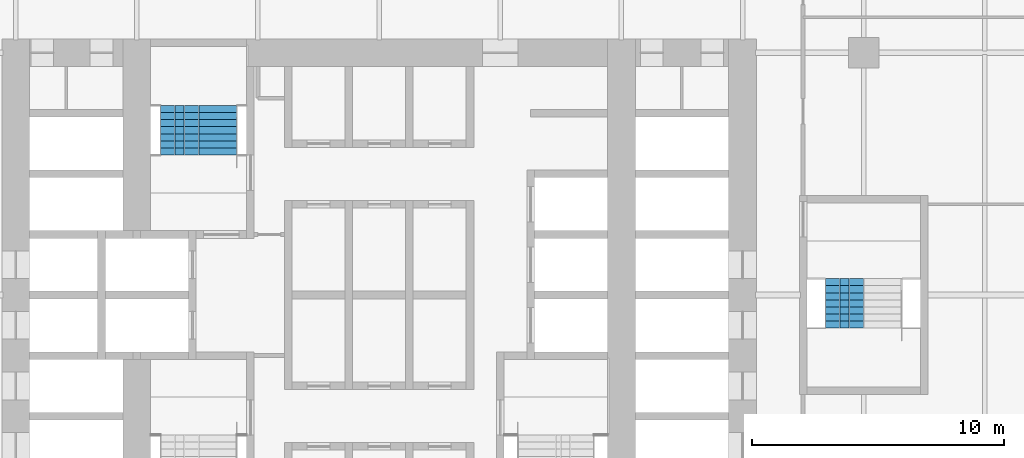
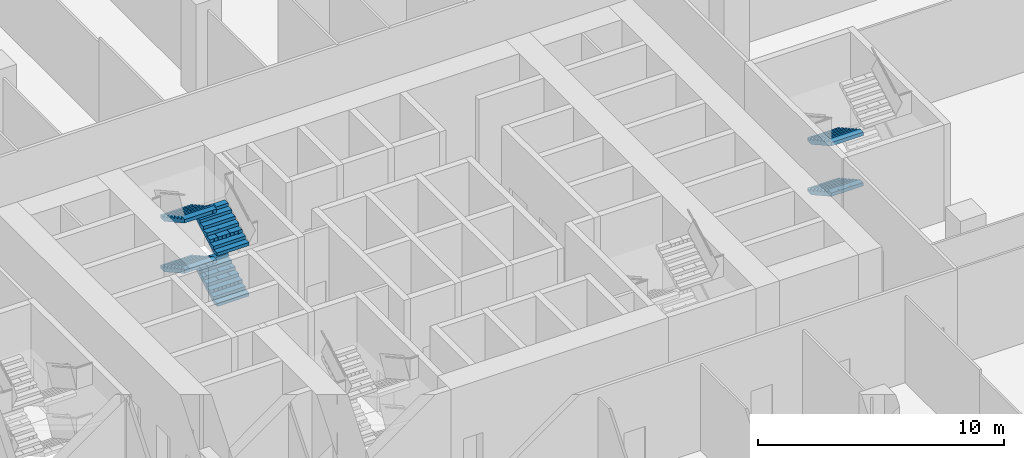
# One storey, part 26 of 29: 6 stair flights, 2 elements without a shape of their own.
"""IFC4 building model written with IfcOpenShell, lengths in metres."""

from ifc_helpers import new_model, si_unit, direction, frame, origin, place, context, subcontext, project, spatial, polyline, outline, extrude, material, type_object, element, aggregate, save


model = new_model("IFC4")

# Units and contexts
model_context = context("Model", 3, precision=1e-05, world=origin(), true_north=direction((0.0, 1.0)))
body_context = subcontext(model_context, "Body", "Model", "MODEL_VIEW")
ifc_project = project(units=[si_unit("LENGTHUNIT", "METRE"), si_unit("AREAUNIT", "SQUARE_METRE"), si_unit("VOLUMEUNIT", "CUBIC_METRE"), si_unit("PLANEANGLEUNIT", "RADIAN"), si_unit("MASSUNIT", "GRAM", prefix="KILO")], contexts=[model_context])

# Site, building, storey
site_placement = place(None, origin())
site = spatial("IfcSite", under=ifc_project, at=site_placement, CompositionType="ELEMENT")
building_placement = place(site_placement, origin())
building = spatial("IfcBuilding", under=site, at=building_placement, Name="Kolab Exchange Tower", CompositionType="ELEMENT")
storey_placement = place(building_placement, frame((0.0, 0.0, 17.39990234375)))
storey = spatial("IfcBuildingStorey", under=building, at=storey_placement, Name="L03", CompositionType="ELEMENT", Elevation=17.39990234375)

# Stair, stair flights
ifc_material = material(Name="Concrete C50/60", Category="concrete")
stair_type_1 = type_object("IfcStairType", Name="STAIR ST1 RISER 156.2", PredefinedType="DOUBLE_RETURN_STAIR", material=ifc_material)
stair_1_placement = place(storey_placement, origin())
stair_1 = element("IfcStair", 1, at=stair_1_placement, inside=storey, type_object=stair_type_1, Name="Stair 1", PredefinedType="DOUBLE_RETURN_STAIR")
stair_flight_type = type_object("IfcStairFlightType", Name="STAIR FLIGHT 1500 RISER 156.2", PredefinedType="STRAIGHT", material=ifc_material)
stair_flight_1_placement = place(storey_placement, frame((-6.389892578125, 5.550048828125, 0.0), z_axis=(0.0, 0.0, 1.0), x_axis=(0.0, 1.0, 0.0)))
stair_flight_1 = element("IfcStairFlight", 2, at=stair_flight_1_placement, type_object=stair_flight_type, Name="ST1 flight 1", NumberOfRisers=8, NumberOfTreads=7, PredefinedType="STRAIGHT", RiserHeight=0.15625, TreadLength=0.28, context=body_context, shape_type="SweptSolid", body=[
    extrude(outline(polyline([(0.0, 0.0), (0.0, 0.15625), (0.280029296875, 0.15625), (0.280029296875, 0.3125), (0.56005859375, 0.3125), (0.56005859375, 0.46875), (0.840087890625, 0.46875), (0.840087890625, 0.625), (1.1201171875, 0.625), (1.1201171875, 0.78125), (1.39990234375, 0.78125), (1.39990234375, 0.9375), (1.679931640625, 0.9375), (1.679931640625, 1.09375), (1.9599609375, 1.09375), (1.9599609375, 1.25), (1.9599609375, 0.922119140625), (0.3076171875, 0.0), (0.0, 0.0)])), frame((0.0, 0.75, 0.0), z_axis=(0.0, -1.0, 0.0), x_axis=(1.0, 0.0, 0.0)), (0.0, 0.0, 1.0), 0.185791015625),
    extrude(outline(polyline([(0.0, 0.0), (0.0, 0.15625), (0.280029296875, 0.15625), (0.280029296875, 0.3125), (0.56005859375, 0.3125), (0.56005859375, 0.46875), (0.840087890625, 0.46875), (0.840087890625, 0.625), (1.1201171875, 0.625), (1.1201171875, 0.78125), (1.39990234375, 0.78125), (1.39990234375, 0.9375), (1.679931640625, 0.9375), (1.679931640625, 1.09375), (1.9599609375, 1.09375), (1.9599609375, 1.25), (1.9599609375, 0.922119140625), (0.3076171875, 0.0), (0.0, 0.0)])), frame((0.0, 0.562255859375, 0.0), z_axis=(0.0, -1.0, 0.0), x_axis=(1.0, 0.0, 0.0)), (0.0, 0.0, 1.0), 0.185791015625),
    extrude(outline(polyline([(0.0, 0.0), (0.0, 0.15625), (0.280029296875, 0.15625), (0.280029296875, 0.3125), (0.56005859375, 0.3125), (0.56005859375, 0.46875), (0.840087890625, 0.46875), (0.840087890625, 0.625), (1.1201171875, 0.625), (1.1201171875, 0.78125), (1.39990234375, 0.78125), (1.39990234375, 0.9375), (1.679931640625, 0.9375), (1.679931640625, 1.09375), (1.9599609375, 1.09375), (1.9599609375, 1.25), (1.9599609375, 0.922119140625), (0.3076171875, 0.0), (0.0, 0.0)])), frame((0.0, 0.37451171875, 0.0), z_axis=(0.0, -1.0, 0.0), x_axis=(1.0, 0.0, 0.0)), (0.0, 0.0, 1.0), 0.185791015625),
    extrude(outline(polyline([(0.0, 0.0), (0.0, 0.15625), (0.280029296875, 0.15625), (0.280029296875, 0.3125), (0.56005859375, 0.3125), (0.56005859375, 0.46875), (0.840087890625, 0.46875), (0.840087890625, 0.625), (1.1201171875, 0.625), (1.1201171875, 0.78125), (1.39990234375, 0.78125), (1.39990234375, 0.9375), (1.679931640625, 0.9375), (1.679931640625, 1.09375), (1.9599609375, 1.09375), (1.9599609375, 1.25), (1.9599609375, 0.922119140625), (0.3076171875, 0.0), (0.0, 0.0)])), frame((0.0, 0.186767578125, 0.0), z_axis=(0.0, -1.0, 0.0), x_axis=(1.0, 0.0, 0.0)), (0.0, 0.0, 1.0), 0.185791015625),
    extrude(outline(polyline([(0.0, 0.0), (0.0, 0.15625), (0.280029296875, 0.15625), (0.280029296875, 0.3125), (0.56005859375, 0.3125), (0.56005859375, 0.46875), (0.840087890625, 0.46875), (0.840087890625, 0.625), (1.1201171875, 0.625), (1.1201171875, 0.78125), (1.39990234375, 0.78125), (1.39990234375, 0.9375), (1.679931640625, 0.9375), (1.679931640625, 1.09375), (1.9599609375, 1.09375), (1.9599609375, 1.25), (1.9599609375, 0.922119140625), (0.3076171875, 0.0), (0.0, 0.0)])), frame((0.0, -0.0009765625, 0.0), z_axis=(0.0, -1.0, 0.0), x_axis=(1.0, 0.0, 0.0)), (0.0, 0.0, 1.0), 0.185791015625),
    extrude(outline(polyline([(0.0, 0.0), (0.0, 0.15625), (0.280029296875, 0.15625), (0.280029296875, 0.3125), (0.56005859375, 0.3125), (0.56005859375, 0.46875), (0.840087890625, 0.46875), (0.840087890625, 0.625), (1.1201171875, 0.625), (1.1201171875, 0.78125), (1.39990234375, 0.78125), (1.39990234375, 0.9375), (1.679931640625, 0.9375), (1.679931640625, 1.09375), (1.9599609375, 1.09375), (1.9599609375, 1.25), (1.9599609375, 0.922119140625), (0.3076171875, 0.0), (0.0, 0.0)])), frame((0.0, -0.188720703125, 0.0), z_axis=(0.0, -1.0, 0.0), x_axis=(1.0, 0.0, 0.0)), (0.0, 0.0, 1.0), 0.185791015625),
    extrude(outline(polyline([(0.0, 0.0), (0.0, 0.15625), (0.280029296875, 0.15625), (0.280029296875, 0.3125), (0.56005859375, 0.3125), (0.56005859375, 0.46875), (0.840087890625, 0.46875), (0.840087890625, 0.625), (1.1201171875, 0.625), (1.1201171875, 0.78125), (1.39990234375, 0.78125), (1.39990234375, 0.9375), (1.679931640625, 0.9375), (1.679931640625, 1.09375), (1.9599609375, 1.09375), (1.9599609375, 1.25), (1.9599609375, 0.922119140625), (0.3076171875, 0.0), (0.0, 0.0)])), frame((0.0, -0.37646484375, 0.0), z_axis=(0.0, -1.0, 0.0), x_axis=(1.0, 0.0, 0.0)), (0.0, 0.0, 1.0), 0.185791015625),
    extrude(outline(polyline([(0.0, 0.0), (0.0, 0.15625), (0.280029296875, 0.15625), (0.280029296875, 0.3125), (0.56005859375, 0.3125), (0.56005859375, 0.46875), (0.840087890625, 0.46875), (0.840087890625, 0.625), (1.1201171875, 0.625), (1.1201171875, 0.78125), (1.39990234375, 0.78125), (1.39990234375, 0.9375), (1.679931640625, 0.9375), (1.679931640625, 1.09375), (1.9599609375, 1.09375), (1.9599609375, 1.25), (1.9599609375, 0.922119140625), (0.3076171875, 0.0), (0.0, 0.0)])), frame((0.0, -0.564208984375, 0.0), z_axis=(0.0, -1.0, 0.0), x_axis=(1.0, 0.0, 0.0)), (0.0, 0.0, 1.0), 0.185791015625),
])
stair_flight_2_placement = place(storey_placement, frame((-7.909912109375, 7.510009765625, 1.25), z_axis=(0.0, 0.0, 1.0), x_axis=(0.0, -1.0, 0.0)))
stair_flight_2 = element("IfcStairFlight", 3, at=stair_flight_2_placement, type_object=stair_flight_type, Name="ST1 flight 2", NumberOfRisers=8, NumberOfTreads=7, PredefinedType="STRAIGHT", RiserHeight=0.15625, TreadLength=0.28, context=body_context, shape_type="SweptSolid", body=[
    extrude(outline(polyline([(0.0, 0.0), (0.0, 0.15625), (0.280029296875, 0.15625), (0.280029296875, 0.3125), (0.56005859375, 0.3125), (0.56005859375, 0.46875), (0.840087890625, 0.46875), (0.840087890625, 0.625), (1.1201171875, 0.625), (1.1201171875, 0.78125), (1.39990234375, 0.78125), (1.39990234375, 0.9375), (1.679931640625, 0.9375), (1.679931640625, 1.09375), (1.9599609375, 1.09375), (1.9599609375, 1.25), (1.9599609375, 0.922119140625), (0.3076171875, 0.0), (0.0, 0.0)])), frame((0.0, 0.75, 0.0), z_axis=(0.0, -1.0, 0.0), x_axis=(1.0, 0.0, 0.0)), (0.0, 0.0, 1.0), 0.185791015625),
    extrude(outline(polyline([(0.0, 0.0), (0.0, 0.15625), (0.280029296875, 0.15625), (0.280029296875, 0.3125), (0.56005859375, 0.3125), (0.56005859375, 0.46875), (0.840087890625, 0.46875), (0.840087890625, 0.625), (1.1201171875, 0.625), (1.1201171875, 0.78125), (1.39990234375, 0.78125), (1.39990234375, 0.9375), (1.679931640625, 0.9375), (1.679931640625, 1.09375), (1.9599609375, 1.09375), (1.9599609375, 1.25), (1.9599609375, 0.922119140625), (0.3076171875, 0.0), (0.0, 0.0)])), frame((0.0, 0.562255859375, 0.0), z_axis=(0.0, -1.0, 0.0), x_axis=(1.0, 0.0, 0.0)), (0.0, 0.0, 1.0), 0.185791015625),
    extrude(outline(polyline([(0.0, 0.0), (0.0, 0.15625), (0.280029296875, 0.15625), (0.280029296875, 0.3125), (0.56005859375, 0.3125), (0.56005859375, 0.46875), (0.840087890625, 0.46875), (0.840087890625, 0.625), (1.1201171875, 0.625), (1.1201171875, 0.78125), (1.39990234375, 0.78125), (1.39990234375, 0.9375), (1.679931640625, 0.9375), (1.679931640625, 1.09375), (1.9599609375, 1.09375), (1.9599609375, 1.25), (1.9599609375, 0.922119140625), (0.3076171875, 0.0), (0.0, 0.0)])), frame((0.0, 0.37451171875, 0.0), z_axis=(0.0, -1.0, 0.0), x_axis=(1.0, 0.0, 0.0)), (0.0, 0.0, 1.0), 0.185791015625),
    extrude(outline(polyline([(0.0, 0.0), (0.0, 0.15625), (0.280029296875, 0.15625), (0.280029296875, 0.3125), (0.56005859375, 0.3125), (0.56005859375, 0.46875), (0.840087890625, 0.46875), (0.840087890625, 0.625), (1.1201171875, 0.625), (1.1201171875, 0.78125), (1.39990234375, 0.78125), (1.39990234375, 0.9375), (1.679931640625, 0.9375), (1.679931640625, 1.09375), (1.9599609375, 1.09375), (1.9599609375, 1.25), (1.9599609375, 0.922119140625), (0.3076171875, 0.0), (0.0, 0.0)])), frame((0.0, 0.186767578125, 0.0), z_axis=(0.0, -1.0, 0.0), x_axis=(1.0, 0.0, 0.0)), (0.0, 0.0, 1.0), 0.185791015625),
    extrude(outline(polyline([(0.0, 0.0), (0.0, 0.15625), (0.280029296875, 0.15625), (0.280029296875, 0.3125), (0.56005859375, 0.3125), (0.56005859375, 0.46875), (0.840087890625, 0.46875), (0.840087890625, 0.625), (1.1201171875, 0.625), (1.1201171875, 0.78125), (1.39990234375, 0.78125), (1.39990234375, 0.9375), (1.679931640625, 0.9375), (1.679931640625, 1.09375), (1.9599609375, 1.09375), (1.9599609375, 1.25), (1.9599609375, 0.922119140625), (0.3076171875, 0.0), (0.0, 0.0)])), frame((0.0, -0.0009765625, 0.0), z_axis=(0.0, -1.0, 0.0), x_axis=(1.0, 0.0, 0.0)), (0.0, 0.0, 1.0), 0.185791015625),
    extrude(outline(polyline([(0.0, 0.0), (0.0, 0.15625), (0.280029296875, 0.15625), (0.280029296875, 0.3125), (0.56005859375, 0.3125), (0.56005859375, 0.46875), (0.840087890625, 0.46875), (0.840087890625, 0.625), (1.1201171875, 0.625), (1.1201171875, 0.78125), (1.39990234375, 0.78125), (1.39990234375, 0.9375), (1.679931640625, 0.9375), (1.679931640625, 1.09375), (1.9599609375, 1.09375), (1.9599609375, 1.25), (1.9599609375, 0.922119140625), (0.3076171875, 0.0), (0.0, 0.0)])), frame((0.0, -0.188720703125, 0.0), z_axis=(0.0, -1.0, 0.0), x_axis=(1.0, 0.0, 0.0)), (0.0, 0.0, 1.0), 0.185791015625),
    extrude(outline(polyline([(0.0, 0.0), (0.0, 0.15625), (0.280029296875, 0.15625), (0.280029296875, 0.3125), (0.56005859375, 0.3125), (0.56005859375, 0.46875), (0.840087890625, 0.46875), (0.840087890625, 0.625), (1.1201171875, 0.625), (1.1201171875, 0.78125), (1.39990234375, 0.78125), (1.39990234375, 0.9375), (1.679931640625, 0.9375), (1.679931640625, 1.09375), (1.9599609375, 1.09375), (1.9599609375, 1.25), (1.9599609375, 0.922119140625), (0.3076171875, 0.0), (0.0, 0.0)])), frame((0.0, -0.37646484375, 0.0), z_axis=(0.0, -1.0, 0.0), x_axis=(1.0, 0.0, 0.0)), (0.0, 0.0, 1.0), 0.185791015625),
    extrude(outline(polyline([(0.0, 0.0), (0.0, 0.15625), (0.280029296875, 0.15625), (0.280029296875, 0.3125), (0.56005859375, 0.3125), (0.56005859375, 0.46875), (0.840087890625, 0.46875), (0.840087890625, 0.625), (1.1201171875, 0.625), (1.1201171875, 0.78125), (1.39990234375, 0.78125), (1.39990234375, 0.9375), (1.679931640625, 0.9375), (1.679931640625, 1.09375), (1.9599609375, 1.09375), (1.9599609375, 1.25), (1.9599609375, 0.922119140625), (0.3076171875, 0.0), (0.0, 0.0)])), frame((0.0, -0.564208984375, 0.0), z_axis=(0.0, -1.0, 0.0), x_axis=(1.0, 0.0, 0.0)), (0.0, 0.0, 1.0), 0.185791015625),
])
stair_flight_3_placement = place(storey_placement, frame((-6.389892578125, 5.550048828125, 2.5), z_axis=(0.0, 0.0, 1.0), x_axis=(0.0, 1.0, 0.0)))
stair_flight_3 = element("IfcStairFlight", 4, at=stair_flight_3_placement, type_object=stair_flight_type, Name="ST1 flight 3", NumberOfRisers=8, NumberOfTreads=7, PredefinedType="STRAIGHT", RiserHeight=0.15625, TreadLength=0.28, context=body_context, shape_type="SweptSolid", body=[
    extrude(outline(polyline([(0.0, 0.0), (0.0, 0.15625), (0.280029296875, 0.15625), (0.280029296875, 0.3125), (0.56005859375, 0.3125), (0.56005859375, 0.46875), (0.840087890625, 0.46875), (0.840087890625, 0.625), (1.1201171875, 0.625), (1.1201171875, 0.78125), (1.39990234375, 0.78125), (1.39990234375, 0.9375), (1.679931640625, 0.9375), (1.679931640625, 1.09375), (1.9599609375, 1.09375), (1.9599609375, 1.25), (1.9599609375, 0.922119140625), (0.3076171875, 0.0), (0.0, 0.0)])), frame((0.0, 0.75, 0.0), z_axis=(0.0, -1.0, 0.0), x_axis=(1.0, 0.0, 0.0)), (0.0, 0.0, 1.0), 0.185791015625),
    extrude(outline(polyline([(0.0, 0.0), (0.0, 0.15625), (0.280029296875, 0.15625), (0.280029296875, 0.3125), (0.56005859375, 0.3125), (0.56005859375, 0.46875), (0.840087890625, 0.46875), (0.840087890625, 0.625), (1.1201171875, 0.625), (1.1201171875, 0.78125), (1.39990234375, 0.78125), (1.39990234375, 0.9375), (1.679931640625, 0.9375), (1.679931640625, 1.09375), (1.9599609375, 1.09375), (1.9599609375, 1.25), (1.9599609375, 0.922119140625), (0.3076171875, 0.0), (0.0, 0.0)])), frame((0.0, 0.562255859375, 0.0), z_axis=(0.0, -1.0, 0.0), x_axis=(1.0, 0.0, 0.0)), (0.0, 0.0, 1.0), 0.185791015625),
    extrude(outline(polyline([(0.0, 0.0), (0.0, 0.15625), (0.280029296875, 0.15625), (0.280029296875, 0.3125), (0.56005859375, 0.3125), (0.56005859375, 0.46875), (0.840087890625, 0.46875), (0.840087890625, 0.625), (1.1201171875, 0.625), (1.1201171875, 0.78125), (1.39990234375, 0.78125), (1.39990234375, 0.9375), (1.679931640625, 0.9375), (1.679931640625, 1.09375), (1.9599609375, 1.09375), (1.9599609375, 1.25), (1.9599609375, 0.922119140625), (0.3076171875, 0.0), (0.0, 0.0)])), frame((0.0, 0.37451171875, 0.0), z_axis=(0.0, -1.0, 0.0), x_axis=(1.0, 0.0, 0.0)), (0.0, 0.0, 1.0), 0.185791015625),
    extrude(outline(polyline([(0.0, 0.0), (0.0, 0.15625), (0.280029296875, 0.15625), (0.280029296875, 0.3125), (0.56005859375, 0.3125), (0.56005859375, 0.46875), (0.840087890625, 0.46875), (0.840087890625, 0.625), (1.1201171875, 0.625), (1.1201171875, 0.78125), (1.39990234375, 0.78125), (1.39990234375, 0.9375), (1.679931640625, 0.9375), (1.679931640625, 1.09375), (1.9599609375, 1.09375), (1.9599609375, 1.25), (1.9599609375, 0.922119140625), (0.3076171875, 0.0), (0.0, 0.0)])), frame((0.0, 0.186767578125, 0.0), z_axis=(0.0, -1.0, 0.0), x_axis=(1.0, 0.0, 0.0)), (0.0, 0.0, 1.0), 0.185791015625),
    extrude(outline(polyline([(0.0, 0.0), (0.0, 0.15625), (0.280029296875, 0.15625), (0.280029296875, 0.3125), (0.56005859375, 0.3125), (0.56005859375, 0.46875), (0.840087890625, 0.46875), (0.840087890625, 0.625), (1.1201171875, 0.625), (1.1201171875, 0.78125), (1.39990234375, 0.78125), (1.39990234375, 0.9375), (1.679931640625, 0.9375), (1.679931640625, 1.09375), (1.9599609375, 1.09375), (1.9599609375, 1.25), (1.9599609375, 0.922119140625), (0.3076171875, 0.0), (0.0, 0.0)])), frame((0.0, -0.0009765625, 0.0), z_axis=(0.0, -1.0, 0.0), x_axis=(1.0, 0.0, 0.0)), (0.0, 0.0, 1.0), 0.185791015625),
    extrude(outline(polyline([(0.0, 0.0), (0.0, 0.15625), (0.280029296875, 0.15625), (0.280029296875, 0.3125), (0.56005859375, 0.3125), (0.56005859375, 0.46875), (0.840087890625, 0.46875), (0.840087890625, 0.625), (1.1201171875, 0.625), (1.1201171875, 0.78125), (1.39990234375, 0.78125), (1.39990234375, 0.9375), (1.679931640625, 0.9375), (1.679931640625, 1.09375), (1.9599609375, 1.09375), (1.9599609375, 1.25), (1.9599609375, 0.922119140625), (0.3076171875, 0.0), (0.0, 0.0)])), frame((0.0, -0.188720703125, 0.0), z_axis=(0.0, -1.0, 0.0), x_axis=(1.0, 0.0, 0.0)), (0.0, 0.0, 1.0), 0.185791015625),
    extrude(outline(polyline([(0.0, 0.0), (0.0, 0.15625), (0.280029296875, 0.15625), (0.280029296875, 0.3125), (0.56005859375, 0.3125), (0.56005859375, 0.46875), (0.840087890625, 0.46875), (0.840087890625, 0.625), (1.1201171875, 0.625), (1.1201171875, 0.78125), (1.39990234375, 0.78125), (1.39990234375, 0.9375), (1.679931640625, 0.9375), (1.679931640625, 1.09375), (1.9599609375, 1.09375), (1.9599609375, 1.25), (1.9599609375, 0.922119140625), (0.3076171875, 0.0), (0.0, 0.0)])), frame((0.0, -0.37646484375, 0.0), z_axis=(0.0, -1.0, 0.0), x_axis=(1.0, 0.0, 0.0)), (0.0, 0.0, 1.0), 0.185791015625),
    extrude(outline(polyline([(0.0, 0.0), (0.0, 0.15625), (0.280029296875, 0.15625), (0.280029296875, 0.3125), (0.56005859375, 0.3125), (0.56005859375, 0.46875), (0.840087890625, 0.46875), (0.840087890625, 0.625), (1.1201171875, 0.625), (1.1201171875, 0.78125), (1.39990234375, 0.78125), (1.39990234375, 0.9375), (1.679931640625, 0.9375), (1.679931640625, 1.09375), (1.9599609375, 1.09375), (1.9599609375, 1.25), (1.9599609375, 0.922119140625), (0.3076171875, 0.0), (0.0, 0.0)])), frame((0.0, -0.564208984375, 0.0), z_axis=(0.0, -1.0, 0.0), x_axis=(1.0, 0.0, 0.0)), (0.0, 0.0, 1.0), 0.185791015625),
])
stair_flight_4_placement = place(storey_placement, frame((-7.909912109375, 7.510009765625, 3.75), z_axis=(0.0, 0.0, 1.0), x_axis=(0.0, -1.0, 0.0)))
stair_flight_4 = element("IfcStairFlight", 5, at=stair_flight_4_placement, type_object=stair_flight_type, Name="ST1 flight 4", NumberOfRisers=8, NumberOfTreads=7, PredefinedType="STRAIGHT", RiserHeight=0.15625, TreadLength=0.28, context=body_context, shape_type="SweptSolid", body=[
    extrude(outline(polyline([(0.0, 0.0), (0.0, 0.15625), (0.280029296875, 0.15625), (0.280029296875, 0.3125), (0.56005859375, 0.3125), (0.56005859375, 0.46875), (0.840087890625, 0.46875), (0.840087890625, 0.625), (1.1201171875, 0.625), (1.1201171875, 0.78125), (1.39990234375, 0.78125), (1.39990234375, 0.9375), (1.679931640625, 0.9375), (1.679931640625, 1.09375), (1.9599609375, 1.09375), (1.9599609375, 1.25), (1.9599609375, 0.922119140625), (0.3076171875, 0.0), (0.0, 0.0)])), frame((0.0, 0.75, 0.0), z_axis=(0.0, -1.0, 0.0), x_axis=(1.0, 0.0, 0.0)), (0.0, 0.0, 1.0), 0.185791015625),
    extrude(outline(polyline([(0.0, 0.0), (0.0, 0.15625), (0.280029296875, 0.15625), (0.280029296875, 0.3125), (0.56005859375, 0.3125), (0.56005859375, 0.46875), (0.840087890625, 0.46875), (0.840087890625, 0.625), (1.1201171875, 0.625), (1.1201171875, 0.78125), (1.39990234375, 0.78125), (1.39990234375, 0.9375), (1.679931640625, 0.9375), (1.679931640625, 1.09375), (1.9599609375, 1.09375), (1.9599609375, 1.25), (1.9599609375, 0.922119140625), (0.3076171875, 0.0), (0.0, 0.0)])), frame((0.0, 0.562255859375, 0.0), z_axis=(0.0, -1.0, 0.0), x_axis=(1.0, 0.0, 0.0)), (0.0, 0.0, 1.0), 0.185791015625),
    extrude(outline(polyline([(0.0, 0.0), (0.0, 0.15625), (0.280029296875, 0.15625), (0.280029296875, 0.3125), (0.56005859375, 0.3125), (0.56005859375, 0.46875), (0.840087890625, 0.46875), (0.840087890625, 0.625), (1.1201171875, 0.625), (1.1201171875, 0.78125), (1.39990234375, 0.78125), (1.39990234375, 0.9375), (1.679931640625, 0.9375), (1.679931640625, 1.09375), (1.9599609375, 1.09375), (1.9599609375, 1.25), (1.9599609375, 0.922119140625), (0.3076171875, 0.0), (0.0, 0.0)])), frame((0.0, 0.37451171875, 0.0), z_axis=(0.0, -1.0, 0.0), x_axis=(1.0, 0.0, 0.0)), (0.0, 0.0, 1.0), 0.185791015625),
    extrude(outline(polyline([(0.0, 0.0), (0.0, 0.15625), (0.280029296875, 0.15625), (0.280029296875, 0.3125), (0.56005859375, 0.3125), (0.56005859375, 0.46875), (0.840087890625, 0.46875), (0.840087890625, 0.625), (1.1201171875, 0.625), (1.1201171875, 0.78125), (1.39990234375, 0.78125), (1.39990234375, 0.9375), (1.679931640625, 0.9375), (1.679931640625, 1.09375), (1.9599609375, 1.09375), (1.9599609375, 1.25), (1.9599609375, 0.922119140625), (0.3076171875, 0.0), (0.0, 0.0)])), frame((0.0, 0.186767578125, 0.0), z_axis=(0.0, -1.0, 0.0), x_axis=(1.0, 0.0, 0.0)), (0.0, 0.0, 1.0), 0.185791015625),
    extrude(outline(polyline([(0.0, 0.0), (0.0, 0.15625), (0.280029296875, 0.15625), (0.280029296875, 0.3125), (0.56005859375, 0.3125), (0.56005859375, 0.46875), (0.840087890625, 0.46875), (0.840087890625, 0.625), (1.1201171875, 0.625), (1.1201171875, 0.78125), (1.39990234375, 0.78125), (1.39990234375, 0.9375), (1.679931640625, 0.9375), (1.679931640625, 1.09375), (1.9599609375, 1.09375), (1.9599609375, 1.25), (1.9599609375, 0.922119140625), (0.3076171875, 0.0), (0.0, 0.0)])), frame((0.0, -0.0009765625, 0.0), z_axis=(0.0, -1.0, 0.0), x_axis=(1.0, 0.0, 0.0)), (0.0, 0.0, 1.0), 0.185791015625),
    extrude(outline(polyline([(0.0, 0.0), (0.0, 0.15625), (0.280029296875, 0.15625), (0.280029296875, 0.3125), (0.56005859375, 0.3125), (0.56005859375, 0.46875), (0.840087890625, 0.46875), (0.840087890625, 0.625), (1.1201171875, 0.625), (1.1201171875, 0.78125), (1.39990234375, 0.78125), (1.39990234375, 0.9375), (1.679931640625, 0.9375), (1.679931640625, 1.09375), (1.9599609375, 1.09375), (1.9599609375, 1.25), (1.9599609375, 0.922119140625), (0.3076171875, 0.0), (0.0, 0.0)])), frame((0.0, -0.188720703125, 0.0), z_axis=(0.0, -1.0, 0.0), x_axis=(1.0, 0.0, 0.0)), (0.0, 0.0, 1.0), 0.185791015625),
    extrude(outline(polyline([(0.0, 0.0), (0.0, 0.15625), (0.280029296875, 0.15625), (0.280029296875, 0.3125), (0.56005859375, 0.3125), (0.56005859375, 0.46875), (0.840087890625, 0.46875), (0.840087890625, 0.625), (1.1201171875, 0.625), (1.1201171875, 0.78125), (1.39990234375, 0.78125), (1.39990234375, 0.9375), (1.679931640625, 0.9375), (1.679931640625, 1.09375), (1.9599609375, 1.09375), (1.9599609375, 1.25), (1.9599609375, 0.922119140625), (0.3076171875, 0.0), (0.0, 0.0)])), frame((0.0, -0.37646484375, 0.0), z_axis=(0.0, -1.0, 0.0), x_axis=(1.0, 0.0, 0.0)), (0.0, 0.0, 1.0), 0.185791015625),
    extrude(outline(polyline([(0.0, 0.0), (0.0, 0.15625), (0.280029296875, 0.15625), (0.280029296875, 0.3125), (0.56005859375, 0.3125), (0.56005859375, 0.46875), (0.840087890625, 0.46875), (0.840087890625, 0.625), (1.1201171875, 0.625), (1.1201171875, 0.78125), (1.39990234375, 0.78125), (1.39990234375, 0.9375), (1.679931640625, 0.9375), (1.679931640625, 1.09375), (1.9599609375, 1.09375), (1.9599609375, 1.25), (1.9599609375, 0.922119140625), (0.3076171875, 0.0), (0.0, 0.0)])), frame((0.0, -0.564208984375, 0.0), z_axis=(0.0, -1.0, 0.0), x_axis=(1.0, 0.0, 0.0)), (0.0, 0.0, 1.0), 0.185791015625),
])
aggregate(stair_1, [stair_flight_1, stair_flight_2, stair_flight_3, stair_flight_4])

stair_type_2 = type_object("IfcStairType", Name="STAIR ST4 RISER 156.2", PredefinedType="DOUBLE_RETURN_STAIR", material=ifc_material)
stair_2_placement = place(storey_placement, origin())
stair_2 = element("IfcStair", 6, at=stair_2_placement, inside=storey, type_object=stair_type_2, Name="Stair 4", PredefinedType="DOUBLE_RETURN_STAIR")
stair_flight_5_placement = place(storey_placement, frame((18.43994140625, 0.64990234375, 0.0), z_axis=(0.0, 0.0, 1.0), x_axis=(0.0, -1.0, 0.0)))
stair_flight_5 = element("IfcStairFlight", 7, at=stair_flight_5_placement, type_object=stair_flight_type, Name="ST4 flight 1", NumberOfRisers=8, NumberOfTreads=7, PredefinedType="STRAIGHT", RiserHeight=0.15625, TreadLength=0.28, context=body_context, shape_type="SweptSolid", body=[
    extrude(outline(polyline([(0.0, 0.0), (0.0, 0.15625), (0.280029296875, 0.15625), (0.280029296875, 0.3125), (0.56005859375, 0.3125), (0.56005859375, 0.46875), (0.840087890625, 0.46875), (0.840087890625, 0.625), (1.1201171875, 0.625), (1.1201171875, 0.78125), (1.39990234375, 0.78125), (1.39990234375, 0.9375), (1.679931640625, 0.9375), (1.679931640625, 1.09375), (1.9599609375, 1.09375), (1.9599609375, 1.25), (1.9599609375, 0.922119140625), (0.3076171875, 0.0), (0.0, 0.0)])), frame((0.0, 0.75, 0.0), z_axis=(0.0, -1.0, 0.0), x_axis=(1.0, 0.0, 0.0)), (0.0, 0.0, 1.0), 0.185791015625),
    extrude(outline(polyline([(0.0, 0.0), (0.0, 0.15625), (0.280029296875, 0.15625), (0.280029296875, 0.3125), (0.56005859375, 0.3125), (0.56005859375, 0.46875), (0.840087890625, 0.46875), (0.840087890625, 0.625), (1.1201171875, 0.625), (1.1201171875, 0.78125), (1.39990234375, 0.78125), (1.39990234375, 0.9375), (1.679931640625, 0.9375), (1.679931640625, 1.09375), (1.9599609375, 1.09375), (1.9599609375, 1.25), (1.9599609375, 0.922119140625), (0.3076171875, 0.0), (0.0, 0.0)])), frame((0.0, 0.562255859375, 0.0), z_axis=(0.0, -1.0, 0.0), x_axis=(1.0, 0.0, 0.0)), (0.0, 0.0, 1.0), 0.185791015625),
    extrude(outline(polyline([(0.0, 0.0), (0.0, 0.15625), (0.280029296875, 0.15625), (0.280029296875, 0.3125), (0.56005859375, 0.3125), (0.56005859375, 0.46875), (0.840087890625, 0.46875), (0.840087890625, 0.625), (1.1201171875, 0.625), (1.1201171875, 0.78125), (1.39990234375, 0.78125), (1.39990234375, 0.9375), (1.679931640625, 0.9375), (1.679931640625, 1.09375), (1.9599609375, 1.09375), (1.9599609375, 1.25), (1.9599609375, 0.922119140625), (0.3076171875, 0.0), (0.0, 0.0)])), frame((0.0, 0.37451171875, 0.0), z_axis=(0.0, -1.0, 0.0), x_axis=(1.0, 0.0, 0.0)), (0.0, 0.0, 1.0), 0.185791015625),
    extrude(outline(polyline([(0.0, 0.0), (0.0, 0.15625), (0.280029296875, 0.15625), (0.280029296875, 0.3125), (0.56005859375, 0.3125), (0.56005859375, 0.46875), (0.840087890625, 0.46875), (0.840087890625, 0.625), (1.1201171875, 0.625), (1.1201171875, 0.78125), (1.39990234375, 0.78125), (1.39990234375, 0.9375), (1.679931640625, 0.9375), (1.679931640625, 1.09375), (1.9599609375, 1.09375), (1.9599609375, 1.25), (1.9599609375, 0.922119140625), (0.3076171875, 0.0), (0.0, 0.0)])), frame((0.0, 0.186767578125, 0.0), z_axis=(0.0, -1.0, 0.0), x_axis=(1.0, 0.0, 0.0)), (0.0, 0.0, 1.0), 0.185791015625),
    extrude(outline(polyline([(0.0, 0.0), (0.0, 0.15625), (0.280029296875, 0.15625), (0.280029296875, 0.3125), (0.56005859375, 0.3125), (0.56005859375, 0.46875), (0.840087890625, 0.46875), (0.840087890625, 0.625), (1.1201171875, 0.625), (1.1201171875, 0.78125), (1.39990234375, 0.78125), (1.39990234375, 0.9375), (1.679931640625, 0.9375), (1.679931640625, 1.09375), (1.9599609375, 1.09375), (1.9599609375, 1.25), (1.9599609375, 0.922119140625), (0.3076171875, 0.0), (0.0, 0.0)])), frame((0.0, -0.0009765625, 0.0), z_axis=(0.0, -1.0, 0.0), x_axis=(1.0, 0.0, 0.0)), (0.0, 0.0, 1.0), 0.185791015625),
    extrude(outline(polyline([(0.0, 0.0), (0.0, 0.15625), (0.280029296875, 0.15625), (0.280029296875, 0.3125), (0.56005859375, 0.3125), (0.56005859375, 0.46875), (0.840087890625, 0.46875), (0.840087890625, 0.625), (1.1201171875, 0.625), (1.1201171875, 0.78125), (1.39990234375, 0.78125), (1.39990234375, 0.9375), (1.679931640625, 0.9375), (1.679931640625, 1.09375), (1.9599609375, 1.09375), (1.9599609375, 1.25), (1.9599609375, 0.922119140625), (0.3076171875, 0.0), (0.0, 0.0)])), frame((0.0, -0.188720703125, 0.0), z_axis=(0.0, -1.0, 0.0), x_axis=(1.0, 0.0, 0.0)), (0.0, 0.0, 1.0), 0.185791015625),
    extrude(outline(polyline([(0.0, 0.0), (0.0, 0.15625), (0.280029296875, 0.15625), (0.280029296875, 0.3125), (0.56005859375, 0.3125), (0.56005859375, 0.46875), (0.840087890625, 0.46875), (0.840087890625, 0.625), (1.1201171875, 0.625), (1.1201171875, 0.78125), (1.39990234375, 0.78125), (1.39990234375, 0.9375), (1.679931640625, 0.9375), (1.679931640625, 1.09375), (1.9599609375, 1.09375), (1.9599609375, 1.25), (1.9599609375, 0.922119140625), (0.3076171875, 0.0), (0.0, 0.0)])), frame((0.0, -0.37646484375, 0.0), z_axis=(0.0, -1.0, 0.0), x_axis=(1.0, 0.0, 0.0)), (0.0, 0.0, 1.0), 0.185791015625),
    extrude(outline(polyline([(0.0, 0.0), (0.0, 0.15625), (0.280029296875, 0.15625), (0.280029296875, 0.3125), (0.56005859375, 0.3125), (0.56005859375, 0.46875), (0.840087890625, 0.46875), (0.840087890625, 0.625), (1.1201171875, 0.625), (1.1201171875, 0.78125), (1.39990234375, 0.78125), (1.39990234375, 0.9375), (1.679931640625, 0.9375), (1.679931640625, 1.09375), (1.9599609375, 1.09375), (1.9599609375, 1.25), (1.9599609375, 0.922119140625), (0.3076171875, 0.0), (0.0, 0.0)])), frame((0.0, -0.564208984375, 0.0), z_axis=(0.0, -1.0, 0.0), x_axis=(1.0, 0.0, 0.0)), (0.0, 0.0, 1.0), 0.185791015625),
])
stair_flight_6_placement = place(storey_placement, frame((18.43994140625, 0.64990234375, 2.5), z_axis=(0.0, 0.0, 1.0), x_axis=(0.0, -1.0, 0.0)))
stair_flight_6 = element("IfcStairFlight", 8, at=stair_flight_6_placement, type_object=stair_flight_type, Name="ST4 flight 3", NumberOfRisers=8, NumberOfTreads=7, PredefinedType="STRAIGHT", RiserHeight=0.15625, TreadLength=0.28, context=body_context, shape_type="SweptSolid", body=[
    extrude(outline(polyline([(0.0, 0.0), (0.0, 0.15625), (0.280029296875, 0.15625), (0.280029296875, 0.3125), (0.56005859375, 0.3125), (0.56005859375, 0.46875), (0.840087890625, 0.46875), (0.840087890625, 0.625), (1.1201171875, 0.625), (1.1201171875, 0.78125), (1.39990234375, 0.78125), (1.39990234375, 0.9375), (1.679931640625, 0.9375), (1.679931640625, 1.09375), (1.9599609375, 1.09375), (1.9599609375, 1.25), (1.9599609375, 0.922119140625), (0.3076171875, 0.0), (0.0, 0.0)])), frame((0.0, 0.75, 0.0), z_axis=(0.0, -1.0, 0.0), x_axis=(1.0, 0.0, 0.0)), (0.0, 0.0, 1.0), 0.185791015625),
    extrude(outline(polyline([(0.0, 0.0), (0.0, 0.15625), (0.280029296875, 0.15625), (0.280029296875, 0.3125), (0.56005859375, 0.3125), (0.56005859375, 0.46875), (0.840087890625, 0.46875), (0.840087890625, 0.625), (1.1201171875, 0.625), (1.1201171875, 0.78125), (1.39990234375, 0.78125), (1.39990234375, 0.9375), (1.679931640625, 0.9375), (1.679931640625, 1.09375), (1.9599609375, 1.09375), (1.9599609375, 1.25), (1.9599609375, 0.922119140625), (0.3076171875, 0.0), (0.0, 0.0)])), frame((0.0, 0.562255859375, 0.0), z_axis=(0.0, -1.0, 0.0), x_axis=(1.0, 0.0, 0.0)), (0.0, 0.0, 1.0), 0.185791015625),
    extrude(outline(polyline([(0.0, 0.0), (0.0, 0.15625), (0.280029296875, 0.15625), (0.280029296875, 0.3125), (0.56005859375, 0.3125), (0.56005859375, 0.46875), (0.840087890625, 0.46875), (0.840087890625, 0.625), (1.1201171875, 0.625), (1.1201171875, 0.78125), (1.39990234375, 0.78125), (1.39990234375, 0.9375), (1.679931640625, 0.9375), (1.679931640625, 1.09375), (1.9599609375, 1.09375), (1.9599609375, 1.25), (1.9599609375, 0.922119140625), (0.3076171875, 0.0), (0.0, 0.0)])), frame((0.0, 0.37451171875, 0.0), z_axis=(0.0, -1.0, 0.0), x_axis=(1.0, 0.0, 0.0)), (0.0, 0.0, 1.0), 0.185791015625),
    extrude(outline(polyline([(0.0, 0.0), (0.0, 0.15625), (0.280029296875, 0.15625), (0.280029296875, 0.3125), (0.56005859375, 0.3125), (0.56005859375, 0.46875), (0.840087890625, 0.46875), (0.840087890625, 0.625), (1.1201171875, 0.625), (1.1201171875, 0.78125), (1.39990234375, 0.78125), (1.39990234375, 0.9375), (1.679931640625, 0.9375), (1.679931640625, 1.09375), (1.9599609375, 1.09375), (1.9599609375, 1.25), (1.9599609375, 0.922119140625), (0.3076171875, 0.0), (0.0, 0.0)])), frame((0.0, 0.186767578125, 0.0), z_axis=(0.0, -1.0, 0.0), x_axis=(1.0, 0.0, 0.0)), (0.0, 0.0, 1.0), 0.185791015625),
    extrude(outline(polyline([(0.0, 0.0), (0.0, 0.15625), (0.280029296875, 0.15625), (0.280029296875, 0.3125), (0.56005859375, 0.3125), (0.56005859375, 0.46875), (0.840087890625, 0.46875), (0.840087890625, 0.625), (1.1201171875, 0.625), (1.1201171875, 0.78125), (1.39990234375, 0.78125), (1.39990234375, 0.9375), (1.679931640625, 0.9375), (1.679931640625, 1.09375), (1.9599609375, 1.09375), (1.9599609375, 1.25), (1.9599609375, 0.922119140625), (0.3076171875, 0.0), (0.0, 0.0)])), frame((0.0, -0.0009765625, 0.0), z_axis=(0.0, -1.0, 0.0), x_axis=(1.0, 0.0, 0.0)), (0.0, 0.0, 1.0), 0.185791015625),
    extrude(outline(polyline([(0.0, 0.0), (0.0, 0.15625), (0.280029296875, 0.15625), (0.280029296875, 0.3125), (0.56005859375, 0.3125), (0.56005859375, 0.46875), (0.840087890625, 0.46875), (0.840087890625, 0.625), (1.1201171875, 0.625), (1.1201171875, 0.78125), (1.39990234375, 0.78125), (1.39990234375, 0.9375), (1.679931640625, 0.9375), (1.679931640625, 1.09375), (1.9599609375, 1.09375), (1.9599609375, 1.25), (1.9599609375, 0.922119140625), (0.3076171875, 0.0), (0.0, 0.0)])), frame((0.0, -0.188720703125, 0.0), z_axis=(0.0, -1.0, 0.0), x_axis=(1.0, 0.0, 0.0)), (0.0, 0.0, 1.0), 0.185791015625),
    extrude(outline(polyline([(0.0, 0.0), (0.0, 0.15625), (0.280029296875, 0.15625), (0.280029296875, 0.3125), (0.56005859375, 0.3125), (0.56005859375, 0.46875), (0.840087890625, 0.46875), (0.840087890625, 0.625), (1.1201171875, 0.625), (1.1201171875, 0.78125), (1.39990234375, 0.78125), (1.39990234375, 0.9375), (1.679931640625, 0.9375), (1.679931640625, 1.09375), (1.9599609375, 1.09375), (1.9599609375, 1.25), (1.9599609375, 0.922119140625), (0.3076171875, 0.0), (0.0, 0.0)])), frame((0.0, -0.37646484375, 0.0), z_axis=(0.0, -1.0, 0.0), x_axis=(1.0, 0.0, 0.0)), (0.0, 0.0, 1.0), 0.185791015625),
    extrude(outline(polyline([(0.0, 0.0), (0.0, 0.15625), (0.280029296875, 0.15625), (0.280029296875, 0.3125), (0.56005859375, 0.3125), (0.56005859375, 0.46875), (0.840087890625, 0.46875), (0.840087890625, 0.625), (1.1201171875, 0.625), (1.1201171875, 0.78125), (1.39990234375, 0.78125), (1.39990234375, 0.9375), (1.679931640625, 0.9375), (1.679931640625, 1.09375), (1.9599609375, 1.09375), (1.9599609375, 1.25), (1.9599609375, 0.922119140625), (0.3076171875, 0.0), (0.0, 0.0)])), frame((0.0, -0.564208984375, 0.0), z_axis=(0.0, -1.0, 0.0), x_axis=(1.0, 0.0, 0.0)), (0.0, 0.0, 1.0), 0.185791015625),
])
aggregate(stair_2, [stair_flight_5, stair_flight_6])

save(model, "model.ifc")
